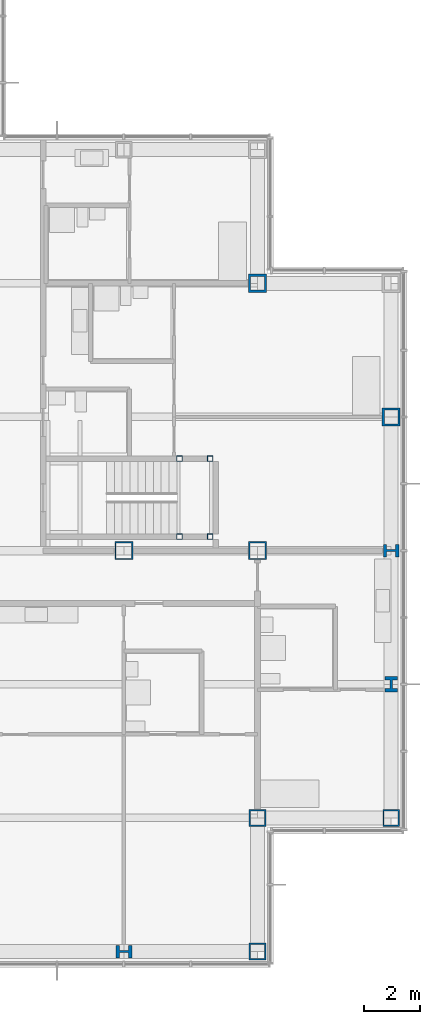
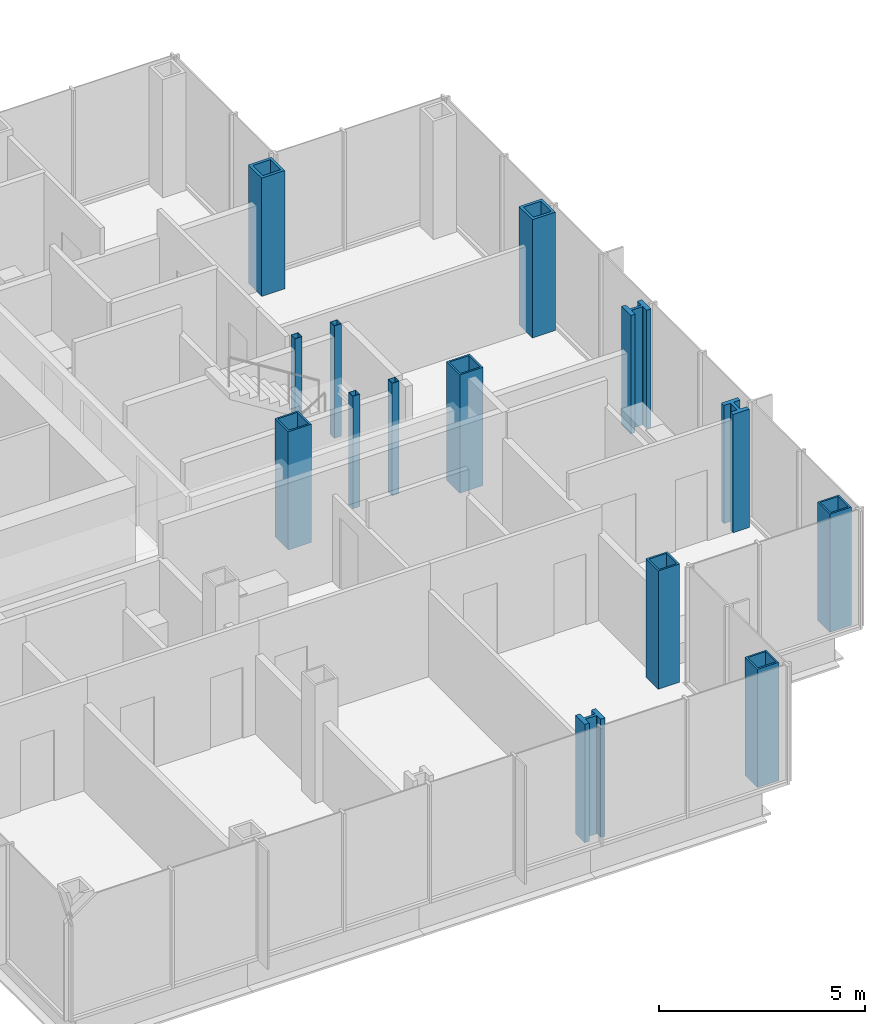
# One storey, part 4 of 19: 14 columns.
"""IFC4 building model written with IfcOpenShell, lengths in metres."""

from ifc_helpers import new_model, si_unit, direction, frame, origin, origin_2d, place, context, subcontext, project, spatial, hollow_rectangle, i_section, extrude, material, material_profile, profile_set, type_object, element, save


model = new_model("IFC4")

# Units and contexts
model_context = context("Model", 3, precision=1e-05, world=origin(), true_north=direction((0.0, 1.0)))
body_context = subcontext(model_context, "Body", "Model", "MODEL_VIEW")
ifc_project = project(units=[si_unit("LENGTHUNIT", "METRE"), si_unit("AREAUNIT", "SQUARE_METRE"), si_unit("VOLUMEUNIT", "CUBIC_METRE"), si_unit("PLANEANGLEUNIT", "RADIAN"), si_unit("MASSUNIT", "GRAM", prefix="KILO")], contexts=[model_context])

# Site, building, storey
site_placement = place(None, origin())
site = spatial("IfcSite", under=ifc_project, at=site_placement, CompositionType="ELEMENT")
building_placement = place(site_placement, origin())
building = spatial("IfcBuilding", under=site, at=building_placement, Name="Kvirike Care Tower", CompositionType="ELEMENT")
storey_placement = place(building_placement, frame((0.0, 0.0, 98.0)))
storey = spatial("IfcBuildingStorey", under=building, at=storey_placement, Name="L26", CompositionType="ELEMENT", Elevation=98.0)

# Columns
ifc_material_1 = material(Name="Steel S460", Category="steel")
ifc_material_profile_1 = material_profile(ifc_material_1, hollow_rectangle(XDim=0.60009765625, YDim=0.60009765625, WallThickness=0.050048828125, at=origin_2d()), Name="BX 600x600x50")
ifc_profile_set_1 = profile_set([ifc_material_profile_1], Name="Steel S460")
column_type_1 = type_object("IfcColumnType", Name="COLUMN BX 600x600x50", PredefinedType="COLUMN", material=ifc_profile_set_1)
for number, where, z_axis, x_axis, name in (
    (1, (38.39990234375, 14.39990234375, 0.0), (0.0, 0.0, 1.0), (0.0, 1.0, 0.0), "Column D11 L26"),
    (2, (38.39990234375, 19.199951171875, 0.0), (0.0, 0.0, 1.0), (0.0, 1.0, 0.0), "Column E11 L26"),
    (3, (43.199951171875, 19.199951171875, 0.0), (0.0, 0.0, 1.0), (0.0, 1.0, 0.0), "Column E12 L26"),
):
    element("IfcColumn", number, at=place(storey_placement, frame(where, z_axis=z_axis, x_axis=x_axis)), inside=storey, type_object=column_type_1, Name=name, PredefinedType="COLUMN", context=body_context, shape_type="SweptSolid", body=[
        extrude(hollow_rectangle(XDim=0.60009765625, YDim=0.60009765625, WallThickness=0.050048828125, at=origin_2d()), origin(), (0.0, 0.0, 1.0), 3.5),
    ])
ifc_material_2 = material(Name="Steel S460", Category="steel")
ifc_material_profile_2 = material_profile(ifc_material_2, hollow_rectangle(XDim=0.64990234375, YDim=0.64990234375, WallThickness=0.050048828125, at=origin_2d()), Name="BX 650x650x50")
ifc_profile_set_2 = profile_set([ifc_material_profile_2], Name="Steel S460")
column_type_2 = type_object("IfcColumnType", Name="COLUMN BX 650x650x50", PredefinedType="COLUMN", material=ifc_profile_set_2)
for number, where, z_axis, x_axis, name in (
    (4, (33.60009765625, 28.800048828125, 0.0), (0.0, 0.0, 1.0), (0.0, 1.0, 0.0), "Column G10 L26"),
    (5, (38.39990234375, 28.800048828125, 0.0), (0.0, 0.0, 1.0), (0.0, 1.0, 0.0), "Column G11 L26"),
):
    element("IfcColumn", number, at=place(storey_placement, frame(where, z_axis=z_axis, x_axis=x_axis)), inside=storey, type_object=column_type_2, Name=name, PredefinedType="COLUMN", context=body_context, shape_type="SweptSolid", body=[
        extrude(hollow_rectangle(XDim=0.64990234375, YDim=0.64990234375, WallThickness=0.050048828125, at=origin_2d()), origin(), (0.0, 0.0, 1.0), 3.5),
    ])
ifc_material_3 = material(Name="Steel S460", Category="steel")
ifc_material_profile_3 = material_profile(ifc_material_3, hollow_rectangle(XDim=0.64990234375, YDim=0.64990234375, WallThickness=0.080078125, at=origin_2d()), Name="BX 650x650x80")
ifc_profile_set_3 = profile_set([ifc_material_profile_3], Name="Steel S460")
column_type_3 = type_object("IfcColumnType", Name="COLUMN BX 650x650x80", PredefinedType="COLUMN", material=ifc_profile_set_3)
for number, where, z_axis, x_axis, name in (
    (6, (38.39990234375, 38.39990234375, 0.0), (0.0, 0.0, 1.0), (0.0, 1.0, 0.0), "Column J11 L26"),
    (7, (43.199951171875, 33.60009765625, 0.0), (0.0, 0.0, 1.0), (1.0, 0.0, 0.0), "Column H12 L26"),
):
    element("IfcColumn", number, at=place(storey_placement, frame(where, z_axis=z_axis, x_axis=x_axis)), inside=storey, type_object=column_type_3, Name=name, PredefinedType="COLUMN", context=body_context, shape_type="SweptSolid", body=[
        extrude(hollow_rectangle(XDim=0.64990234375, YDim=0.64990234375, WallThickness=0.080078125, at=origin_2d()), origin(), (0.0, 0.0, 1.0), 3.5),
    ])
ifc_material_4 = material(Name="Steel S460", Category="steel")
ifc_material_profile_4 = material_profile(ifc_material_4, i_section(OverallWidth=0.4541015625, OverallDepth=0.569091796875, WebThickness=0.077880859375, FlangeThickness=0.125, FilletRadius=0.014892578125, at=origin_2d()), Name="HD 400x1086")
ifc_profile_set_4 = profile_set([ifc_material_profile_4], Name="Steel S460")
column_type_4 = type_object("IfcColumnType", Name="COLUMN HD 400x1086", PredefinedType="COLUMN", material=ifc_profile_set_4)
for number, where, z_axis, x_axis, name in (
    (8, (33.60009765625, 14.39990234375, 0.0), (0.0, 0.0, 1.0), (0.0, 1.0, 0.0), "Column D10 L26"),
    (9, (43.199951171875, 24.0, 0.0), (0.0, 0.0, 1.0), (1.0, 0.0, 0.0), "Column F12 L26"),
    (10, (43.199951171875, 28.800048828125, 0.0), (0.0, 0.0, 1.0), (0.0, 1.0, 0.0), "Column G12 L26"),
):
    element("IfcColumn", number, at=place(storey_placement, frame(where, z_axis=z_axis, x_axis=x_axis)), inside=storey, type_object=column_type_4, Name=name, PredefinedType="COLUMN", context=body_context, shape_type="SweptSolid", body=[
        extrude(i_section(OverallWidth=0.4541015625, OverallDepth=0.569091796875, WebThickness=0.077880859375, FlangeThickness=0.125, FilletRadius=0.014892578125, at=origin_2d()), origin(), (0.0, 0.0, 1.0), 3.5),
    ])
ifc_material_5 = material(Name="Steel S460", Category="steel")
ifc_material_profile_5 = material_profile(ifc_material_5, hollow_rectangle(XDim=0.199951171875, YDim=0.199951171875, WallThickness=0.008056640625, at=origin_2d()), Name="SHS 200x200x8")
ifc_profile_set_5 = profile_set([ifc_material_profile_5], Name="Steel S460")
column_type_5 = type_object("IfcColumnType", Name="STAIR POST SHS 200x200x8", PredefinedType="COLUMN", material=ifc_profile_set_5)
for number, where, z_axis, x_axis, name in (
    (11, (36.699951171875, 29.300048828125, 0.0), (0.0, 0.0, 1.0), (1.0, 0.0, 0.0), "Stair 2 post 1 L26"),
    (12, (36.699951171875, 32.10009765625, 0.0), (0.0, 0.0, 1.0), (1.0, 0.0, 0.0), "Stair 2 post 2 L26"),
    (13, (35.60009765625, 29.300048828125, 0.0), (0.0, 0.0, 1.0), (1.0, 0.0, 0.0), "Stair 2 post 3 L26"),
    (14, (35.60009765625, 32.10009765625, 0.0), (0.0, 0.0, 1.0), (1.0, 0.0, 0.0), "Stair 2 post 4 L26"),
):
    element("IfcColumn", number, at=place(storey_placement, frame(where, z_axis=z_axis, x_axis=x_axis)), inside=storey, type_object=column_type_5, Name=name, PredefinedType="COLUMN", context=body_context, shape_type="SweptSolid", body=[
        extrude(hollow_rectangle(XDim=0.199951171875, YDim=0.199951171875, WallThickness=0.008056640625, at=origin_2d()), origin(), (0.0, 0.0, 1.0), 3.330078125),
    ])

save(model, "model.ifc")
